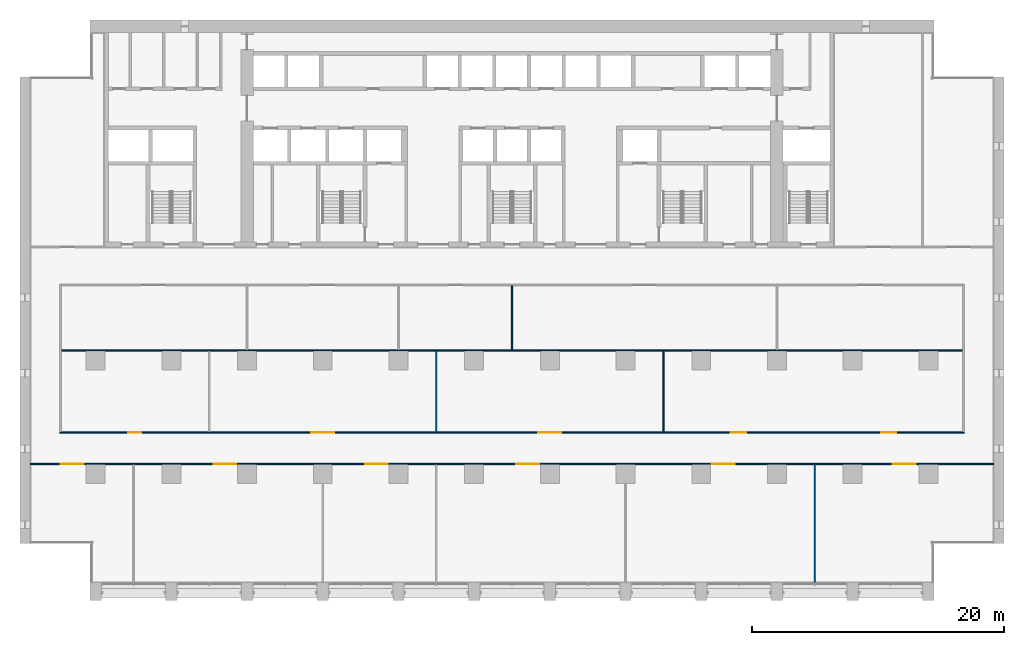
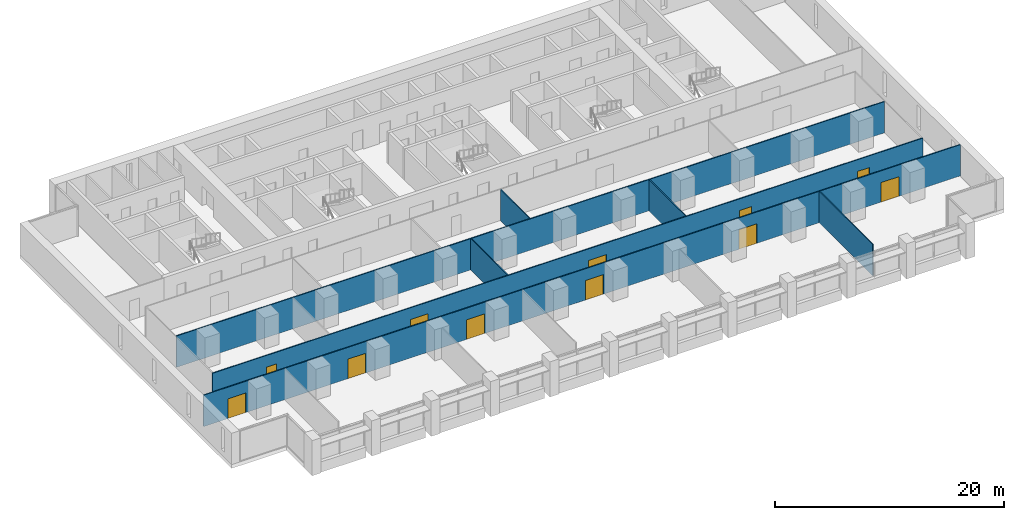
# One storey, part 9 of 18: 11 doors, 7 walls, 11 openings.
"""IFC4 building model written with IfcOpenShell, lengths in metres."""

from ifc_helpers import new_model, si_unit, direction, frame, frame_2d, origin, place, context, subcontext, project, spatial, rectangle, extrude, material, layer, layer_set, type_object, element, fill, save


model = new_model("IFC4")

# Units and contexts
model_context = context("Model", 3, precision=1e-05, world=origin(), true_north=direction((0.0, 1.0)))
body_context = subcontext(model_context, "Body", "Model", "MODEL_VIEW")
ifc_project = project(units=[si_unit("LENGTHUNIT", "METRE"), si_unit("AREAUNIT", "SQUARE_METRE"), si_unit("VOLUMEUNIT", "CUBIC_METRE"), si_unit("PLANEANGLEUNIT", "RADIAN"), si_unit("MASSUNIT", "GRAM", prefix="KILO")], contexts=[model_context])

# Site, building, storey
site_placement = place(None, origin())
site = spatial("IfcSite", under=ifc_project, at=site_placement, CompositionType="ELEMENT")
building_placement = place(site_placement, origin())
building = spatial("IfcBuilding", under=site, at=building_placement, Name="Calvaro Tower", CompositionType="ELEMENT")
storey_placement = place(building_placement, frame((0.0, 0.0, 78.75)))
storey = spatial("IfcBuildingStorey", under=building, at=storey_placement, Name="L19", CompositionType="ELEMENT", Elevation=78.75)

# Wall, openings, doors
ifc_material_1 = material(Name="Plasterboard on steel studs", Category="steel")
ifc_layer_1 = layer(ifc_material_1, 0.10009765625)
ifc_layer_set_1 = layer_set([ifc_layer_1], Name="Plasterboard on steel studs")
wall_type_1 = type_object("IfcWallType", Name="Partition 100", PredefinedType="PARTITIONING", material=ifc_layer_set_1)
wall_1_placement = place(storey_placement, frame((0.800048828125, 10.800048828125, 0.0), z_axis=(0.0, 0.0, 1.0), x_axis=(1.0, 0.0, 0.0)))
wall_1 = element("IfcWall", 1, at=wall_1_placement, inside=storey, type_object=wall_type_1, Name="Partition T14.W001", PredefinedType="PARTITIONING", context=body_context, shape_type="SweptSolid", body=[
    extrude(rectangle(XDim=76.39990234375, YDim=0.10009765625, at=frame_2d((38.199951171875, 0.0))), origin(), (0.0, 0.0, 1.0), 3.35009765625),
])
opening_1_placement = place(wall_1_placement, frame((14.550048828125, 0.0, 0.0)))
opening_1 = element("IfcOpeningElement", 2, at=opening_1_placement, cuts=wall_1, Name="Opening T14.001", PredefinedType="OPENING", context=body_context, shape_type="SweptSolid", body=[
    extrude(rectangle(XDim=1.800048828125, YDim=2.10009765625, at=frame_2d((0.89990234375, 1.050048828125))), frame((0.0, 0.06005859375, 0.0), z_axis=(0.0, -1.0, 0.0), x_axis=(1.0, 0.0, 0.0)), (0.0, 0.0, 1.0), 0.1201171875),
])
opening_2_placement = place(wall_1_placement, frame((26.550048828125, 0.0, 0.0)))
opening_2 = element("IfcOpeningElement", 3, at=opening_2_placement, cuts=wall_1, Name="Opening T14.002", PredefinedType="OPENING", context=body_context, shape_type="SweptSolid", body=[
    extrude(rectangle(XDim=1.800048828125, YDim=2.10009765625, at=frame_2d((0.89990234375, 1.050048828125))), frame((0.0, 0.06005859375, 0.0), z_axis=(0.0, -1.0, 0.0), x_axis=(1.0, 0.0, 0.0)), (0.0, 0.0, 1.0), 0.1201171875),
])
opening_3_placement = place(wall_1_placement, frame((38.550048828125, 0.0, 0.0)))
opening_3 = element("IfcOpeningElement", 4, at=opening_3_placement, cuts=wall_1, Name="Opening T14.003", PredefinedType="OPENING", context=body_context, shape_type="SweptSolid", body=[
    extrude(rectangle(XDim=1.800048828125, YDim=2.10009765625, at=frame_2d((0.89990234375, 1.050048828125))), frame((0.0, 0.06005859375, 0.0), z_axis=(0.0, -1.0, 0.0), x_axis=(1.0, 0.0, 0.0)), (0.0, 0.0, 1.0), 0.1201171875),
])
opening_4_placement = place(wall_1_placement, frame((54.050048828125, 0.0, 0.0)))
opening_4 = element("IfcOpeningElement", 5, at=opening_4_placement, cuts=wall_1, Name="Opening T14.004", PredefinedType="OPENING", context=body_context, shape_type="SweptSolid", body=[
    extrude(rectangle(XDim=1.800048828125, YDim=2.10009765625, at=frame_2d((0.89990234375, 1.050048828125))), frame((0.0, 0.06005859375, 0.0), z_axis=(0.0, -1.0, 0.0), x_axis=(1.0, 0.0, 0.0)), (0.0, 0.0, 1.0), 0.1201171875),
])
opening_5_placement = place(wall_1_placement, frame((68.39990234375, 0.0, 0.0)))
opening_5 = element("IfcOpeningElement", 6, at=opening_5_placement, cuts=wall_1, Name="Opening T14.005", PredefinedType="OPENING", context=body_context, shape_type="SweptSolid", body=[
    extrude(rectangle(XDim=1.800048828125, YDim=2.10009765625, at=frame_2d((0.89990234375, 1.050048828125))), frame((0.0, 0.06005859375, 0.0), z_axis=(0.0, -1.0, 0.0), x_axis=(1.0, 0.0, 0.0)), (0.0, 0.0, 1.0), 0.1201171875),
])
opening_6_placement = place(wall_1_placement, frame((2.449951171875, 0.0, 0.0)))
opening_6 = element("IfcOpeningElement", 7, at=opening_6_placement, cuts=wall_1, Name="Opening T14.006", PredefinedType="OPENING", context=body_context, shape_type="SweptSolid", body=[
    extrude(rectangle(XDim=1.800048828125, YDim=2.10009765625, at=frame_2d((0.89990234375, 1.050048828125))), frame((0.0, 0.06005859375, 0.0), z_axis=(0.0, -1.0, 0.0), x_axis=(1.0, 0.0, 0.0)), (0.0, 0.0, 1.0), 0.1201171875),
])
ifc_material_2 = material(Name="Timber", Category="wood")
door_type_1 = type_object("IfcDoorType", Name="Internal double door 1800 x 2100", OperationType="DOUBLE_DOOR_SINGLE_SWING", PredefinedType="DOOR", material=ifc_material_2)
door_1_placement = place(opening_1_placement, origin())
door_1 = element("IfcDoor", 8, at=door_1_placement, inside=storey, type_object=door_type_1, Name="Door T14.001", OperationType="DOUBLE_DOOR_SINGLE_SWING", OverallHeight=2.10009765625, OverallWidth=1.800048828125, PredefinedType="DOOR", context=body_context, shape_type="SweptSolid", body=[
    extrude(rectangle(XDim=1.800048828125, YDim=2.10009765625, at=frame_2d((0.89990234375, 1.050048828125))), frame((0.0, 0.02490234375, 0.0), z_axis=(0.0, -1.0, 0.0), x_axis=(1.0, 0.0, 0.0)), (0.0, 0.0, 1.0), 0.050048828125),
])
fill(opening_1, door_1)
door_2_placement = place(opening_2_placement, origin())
door_2 = element("IfcDoor", 9, at=door_2_placement, inside=storey, type_object=door_type_1, Name="Door T14.002", OperationType="DOUBLE_DOOR_SINGLE_SWING", OverallHeight=2.10009765625, OverallWidth=1.800048828125, PredefinedType="DOOR", context=body_context, shape_type="SweptSolid", body=[
    extrude(rectangle(XDim=1.800048828125, YDim=2.10009765625, at=frame_2d((0.89990234375, 1.050048828125))), frame((0.0, 0.02490234375, 0.0), z_axis=(0.0, -1.0, 0.0), x_axis=(1.0, 0.0, 0.0)), (0.0, 0.0, 1.0), 0.050048828125),
])
fill(opening_2, door_2)
door_3_placement = place(opening_3_placement, origin())
door_3 = element("IfcDoor", 10, at=door_3_placement, inside=storey, type_object=door_type_1, Name="Door T14.003", OperationType="DOUBLE_DOOR_SINGLE_SWING", OverallHeight=2.10009765625, OverallWidth=1.800048828125, PredefinedType="DOOR", context=body_context, shape_type="SweptSolid", body=[
    extrude(rectangle(XDim=1.800048828125, YDim=2.10009765625, at=frame_2d((0.89990234375, 1.050048828125))), frame((0.0, 0.02490234375, 0.0), z_axis=(0.0, -1.0, 0.0), x_axis=(1.0, 0.0, 0.0)), (0.0, 0.0, 1.0), 0.050048828125),
])
fill(opening_3, door_3)
door_4_placement = place(opening_4_placement, origin())
door_4 = element("IfcDoor", 11, at=door_4_placement, inside=storey, type_object=door_type_1, Name="Door T14.004", OperationType="DOUBLE_DOOR_SINGLE_SWING", OverallHeight=2.10009765625, OverallWidth=1.800048828125, PredefinedType="DOOR", context=body_context, shape_type="SweptSolid", body=[
    extrude(rectangle(XDim=1.800048828125, YDim=2.10009765625, at=frame_2d((0.89990234375, 1.050048828125))), frame((0.0, 0.02490234375, 0.0), z_axis=(0.0, -1.0, 0.0), x_axis=(1.0, 0.0, 0.0)), (0.0, 0.0, 1.0), 0.050048828125),
])
fill(opening_4, door_4)
door_5_placement = place(opening_5_placement, origin())
door_5 = element("IfcDoor", 12, at=door_5_placement, inside=storey, type_object=door_type_1, Name="Door T14.005", OperationType="DOUBLE_DOOR_SINGLE_SWING", OverallHeight=2.10009765625, OverallWidth=1.800048828125, PredefinedType="DOOR", context=body_context, shape_type="SweptSolid", body=[
    extrude(rectangle(XDim=1.800048828125, YDim=2.10009765625, at=frame_2d((0.89990234375, 1.050048828125))), frame((0.0, 0.02490234375, 0.0), z_axis=(0.0, -1.0, 0.0), x_axis=(1.0, 0.0, 0.0)), (0.0, 0.0, 1.0), 0.050048828125),
])
fill(opening_5, door_5)
door_6_placement = place(opening_6_placement, origin())
door_6 = element("IfcDoor", 13, at=door_6_placement, inside=storey, type_object=door_type_1, Name="Door T14.006", OperationType="DOUBLE_DOOR_SINGLE_SWING", OverallHeight=2.10009765625, OverallWidth=1.800048828125, PredefinedType="DOOR", context=body_context, shape_type="SweptSolid", body=[
    extrude(rectangle(XDim=1.800048828125, YDim=2.10009765625, at=frame_2d((0.89990234375, 1.050048828125))), frame((0.0, 0.02490234375, 0.0), z_axis=(0.0, -1.0, 0.0), x_axis=(1.0, 0.0, 0.0)), (0.0, 0.0, 1.0), 0.050048828125),
])
fill(opening_6, door_6)

# Walls
wall_2_placement = place(storey_placement, frame((3.25, 19.800048828125, 0.0), z_axis=(0.0, 0.0, 1.0), x_axis=(1.0, 0.0, 0.0)))
element("IfcWall", 14, at=wall_2_placement, inside=storey, type_object=wall_type_1, Name="Partition T14.W003", PredefinedType="PARTITIONING", context=body_context, shape_type="SweptSolid", body=[
    extrude(rectangle(XDim=71.5, YDim=0.10009765625, at=frame_2d((35.75, 0.0))), origin(), (0.0, 0.0, 1.0), 3.35009765625),
])
wall_3_placement = place(storey_placement, frame((33.0, 13.35009765625, 0.0), z_axis=(0.0, 0.0, 1.0), x_axis=(0.0, 1.0, 0.0)))
element("IfcWall", 15, at=wall_3_placement, inside=storey, type_object=wall_type_1, Name="Partition T14.W014", PredefinedType="PARTITIONING", context=body_context, shape_type="SweptSolid", body=[
    extrude(rectangle(XDim=6.39990234375, YDim=0.10009765625, at=frame_2d((3.199951171875, 0.0))), origin(), (0.0, 0.0, 1.0), 3.35009765625),
])
wall_4_placement = place(storey_placement, frame((39.0, 19.85009765625, 0.0), z_axis=(0.0, 0.0, 1.0), x_axis=(0.0, 1.0, 0.0)))
element("IfcWall", 16, at=wall_4_placement, inside=storey, type_object=wall_type_1, Name="Partition T14.W015", PredefinedType="PARTITIONING", context=body_context, shape_type="SweptSolid", body=[
    extrude(rectangle(XDim=5.099853515625, YDim=0.10009765625, at=frame_2d((2.5498046875, 0.0))), origin(), (0.0, 0.0, 1.0), 3.35009765625),
])
wall_5_placement = place(storey_placement, frame((51.0, 13.35009765625, 0.0), z_axis=(0.0, 0.0, 1.0), x_axis=(0.0, 1.0, 0.0)))
element("IfcWall", 17, at=wall_5_placement, inside=storey, type_object=wall_type_1, Name="Partition T14.W017", PredefinedType="PARTITIONING", context=body_context, shape_type="SweptSolid", body=[
    extrude(rectangle(XDim=6.39990234375, YDim=0.10009765625, at=frame_2d((3.199951171875, 0.0))), origin(), (0.0, 0.0, 1.0), 3.35009765625),
])
wall_6_placement = place(storey_placement, frame((63.0, 1.39990234375, 0.0), z_axis=(0.0, 0.0, 1.0), x_axis=(0.0, 1.0, 0.0)))
element("IfcWall", 18, at=wall_6_placement, inside=storey, type_object=wall_type_1, Name="Partition T14.W019", PredefinedType="PARTITIONING", context=body_context, shape_type="SweptSolid", body=[
    extrude(rectangle(XDim=9.35009765625, YDim=0.10009765625, at=frame_2d((4.675048828125, 0.0))), origin(), (0.0, 0.0, 1.0), 3.35009765625),
])

# Wall, openings, doors
ifc_material_3 = material(Name="Plasterboard on steel studs", Category="steel")
ifc_layer_2 = layer(ifc_material_3, 0.10009765625)
ifc_layer_set_2 = layer_set([ifc_layer_2], Name="Plasterboard on steel studs")
wall_type_2 = type_object("IfcWallType", Name="Partition 100 REI 120", PredefinedType="PARTITIONING", material=ifc_layer_set_2)
wall_7_placement = place(storey_placement, frame((3.14990234375, 13.300048828125, 0.0), z_axis=(0.0, 0.0, 1.0), x_axis=(1.0, 0.0, 0.0)))
wall_7 = element("IfcWall", 19, at=wall_7_placement, inside=storey, type_object=wall_type_2, Name="Partition T14.W002", PredefinedType="PARTITIONING", context=body_context, shape_type="SweptSolid", body=[
    extrude(rectangle(XDim=71.7001953125, YDim=0.10009765625, at=frame_2d((35.85009765625, 0.0))), origin(), (0.0, 0.0, 1.0), 3.35009765625),
])
opening_7_placement = place(wall_7_placement, frame((5.449951171875, 0.0, 0.0)))
opening_7 = element("IfcOpeningElement", 20, at=opening_7_placement, cuts=wall_7, Name="Opening T14.007", PredefinedType="OPENING", context=body_context, shape_type="SweptSolid", body=[
    extrude(rectangle(XDim=1.0, YDim=2.10009765625, at=frame_2d((0.5, 1.050048828125))), frame((0.0, 0.06005859375, 0.0), z_axis=(0.0, -1.0, 0.0), x_axis=(1.0, 0.0, 0.0)), (0.0, 0.0, 1.0), 0.1201171875),
])
opening_8_placement = place(wall_7_placement, frame((19.949951171875, 0.0, 0.0)))
opening_8 = element("IfcOpeningElement", 21, at=opening_8_placement, cuts=wall_7, Name="Opening T14.008", PredefinedType="OPENING", context=body_context, shape_type="SweptSolid", body=[
    extrude(rectangle(XDim=1.800048828125, YDim=2.10009765625, at=frame_2d((0.89990234375, 1.050048828125))), frame((0.0, 0.06005859375, 0.0), z_axis=(0.0, -1.0, 0.0), x_axis=(1.0, 0.0, 0.0)), (0.0, 0.0, 1.0), 0.1201171875),
])
opening_9_placement = place(wall_7_placement, frame((37.949951171875, 0.0, 0.0)))
opening_9 = element("IfcOpeningElement", 22, at=opening_9_placement, cuts=wall_7, Name="Opening T14.009", PredefinedType="OPENING", context=body_context, shape_type="SweptSolid", body=[
    extrude(rectangle(XDim=1.800048828125, YDim=2.10009765625, at=frame_2d((0.89990234375, 1.050048828125))), frame((0.0, 0.06005859375, 0.0), z_axis=(0.0, -1.0, 0.0), x_axis=(1.0, 0.0, 0.0)), (0.0, 0.0, 1.0), 0.1201171875),
])
opening_10_placement = place(wall_7_placement, frame((53.199951171875, 0.0, 0.0)))
opening_10 = element("IfcOpeningElement", 23, at=opening_10_placement, cuts=wall_7, Name="Opening T14.010", PredefinedType="OPENING", context=body_context, shape_type="SweptSolid", body=[
    extrude(rectangle(XDim=1.199951171875, YDim=2.10009765625, at=frame_2d((0.60009765625, 1.050048828125))), frame((0.0, 0.06005859375, 0.0), z_axis=(0.0, -1.0, 0.0), x_axis=(1.0, 0.0, 0.0)), (0.0, 0.0, 1.0), 0.1201171875),
])
opening_11_placement = place(wall_7_placement, frame((65.10009765625, 0.0, 0.0)))
opening_11 = element("IfcOpeningElement", 24, at=opening_11_placement, cuts=wall_7, Name="Opening T14.011", PredefinedType="OPENING", context=body_context, shape_type="SweptSolid", body=[
    extrude(rectangle(XDim=1.199951171875, YDim=2.10009765625, at=frame_2d((0.60009765625, 1.050048828125))), frame((0.0, 0.06005859375, 0.0), z_axis=(0.0, -1.0, 0.0), x_axis=(1.0, 0.0, 0.0)), (0.0, 0.0, 1.0), 0.1201171875),
])
door_7_placement = place(opening_8_placement, origin())
door_7 = element("IfcDoor", 25, at=door_7_placement, inside=storey, type_object=door_type_1, Name="Door T14.008", OperationType="DOUBLE_DOOR_SINGLE_SWING", OverallHeight=2.10009765625, OverallWidth=1.800048828125, PredefinedType="DOOR", context=body_context, shape_type="SweptSolid", body=[
    extrude(rectangle(XDim=1.800048828125, YDim=2.10009765625, at=frame_2d((0.89990234375, 1.050048828125))), frame((0.0, 0.02490234375, 0.0), z_axis=(0.0, -1.0, 0.0), x_axis=(1.0, 0.0, 0.0)), (0.0, 0.0, 1.0), 0.050048828125),
])
fill(opening_8, door_7)
door_8_placement = place(opening_9_placement, origin())
door_8 = element("IfcDoor", 26, at=door_8_placement, inside=storey, type_object=door_type_1, Name="Door T14.009", OperationType="DOUBLE_DOOR_SINGLE_SWING", OverallHeight=2.10009765625, OverallWidth=1.800048828125, PredefinedType="DOOR", context=body_context, shape_type="SweptSolid", body=[
    extrude(rectangle(XDim=1.800048828125, YDim=2.10009765625, at=frame_2d((0.89990234375, 1.050048828125))), frame((0.0, 0.02490234375, 0.0), z_axis=(0.0, -1.0, 0.0), x_axis=(1.0, 0.0, 0.0)), (0.0, 0.0, 1.0), 0.050048828125),
])
fill(opening_9, door_8)
ifc_material_4 = material(Name="Timber", Category="wood")
door_type_2 = type_object("IfcDoorType", Name="Internal single door 1000 x 2100 FD60", OperationType="SINGLE_SWING_LEFT", PredefinedType="DOOR", material=ifc_material_4)
door_9_placement = place(opening_7_placement, origin())
door_9 = element("IfcDoor", 27, at=door_9_placement, inside=storey, type_object=door_type_2, Name="Door T14.007", OperationType="SINGLE_SWING_LEFT", OverallHeight=2.10009765625, OverallWidth=1.0, PredefinedType="DOOR", context=body_context, shape_type="SweptSolid", body=[
    extrude(rectangle(XDim=1.0, YDim=2.10009765625, at=frame_2d((0.5, 1.050048828125))), frame((0.0, 0.02490234375, 0.0), z_axis=(0.0, -1.0, 0.0), x_axis=(1.0, 0.0, 0.0)), (0.0, 0.0, 1.0), 0.050048828125),
])
fill(opening_7, door_9)
ifc_material_5 = material(Name="Timber", Category="wood")
door_type_3 = type_object("IfcDoorType", Name="Internal single door 1200 x 2100", OperationType="SINGLE_SWING_LEFT", PredefinedType="DOOR", material=ifc_material_5)
door_10_placement = place(opening_10_placement, origin())
door_10 = element("IfcDoor", 28, at=door_10_placement, inside=storey, type_object=door_type_3, Name="Door T14.010", OperationType="SINGLE_SWING_RIGHT", OverallHeight=2.10009765625, OverallWidth=1.199951171875, PredefinedType="DOOR", context=body_context, shape_type="SweptSolid", body=[
    extrude(rectangle(XDim=1.199951171875, YDim=2.10009765625, at=frame_2d((0.60009765625, 1.050048828125))), frame((0.0, 0.02490234375, 0.0), z_axis=(0.0, -1.0, 0.0), x_axis=(1.0, 0.0, 0.0)), (0.0, 0.0, 1.0), 0.050048828125),
])
fill(opening_10, door_10)
door_11_placement = place(opening_11_placement, origin())
door_11 = element("IfcDoor", 29, at=door_11_placement, inside=storey, type_object=door_type_3, Name="Door T14.011", OperationType="SINGLE_SWING_RIGHT", OverallHeight=2.10009765625, OverallWidth=1.199951171875, PredefinedType="DOOR", context=body_context, shape_type="SweptSolid", body=[
    extrude(rectangle(XDim=1.199951171875, YDim=2.10009765625, at=frame_2d((0.60009765625, 1.050048828125))), frame((0.0, 0.02490234375, 0.0), z_axis=(0.0, -1.0, 0.0), x_axis=(1.0, 0.0, 0.0)), (0.0, 0.0, 1.0), 0.050048828125),
])
fill(opening_11, door_11)

save(model, "model.ifc")
